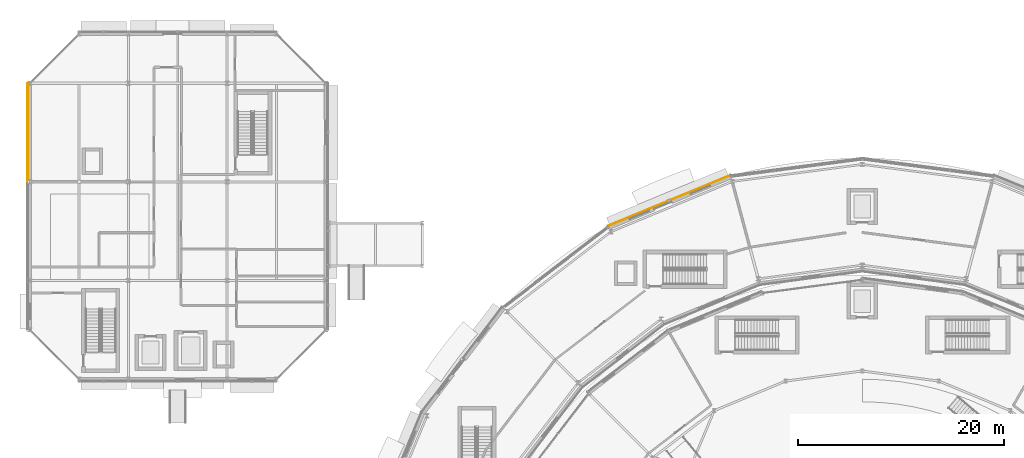
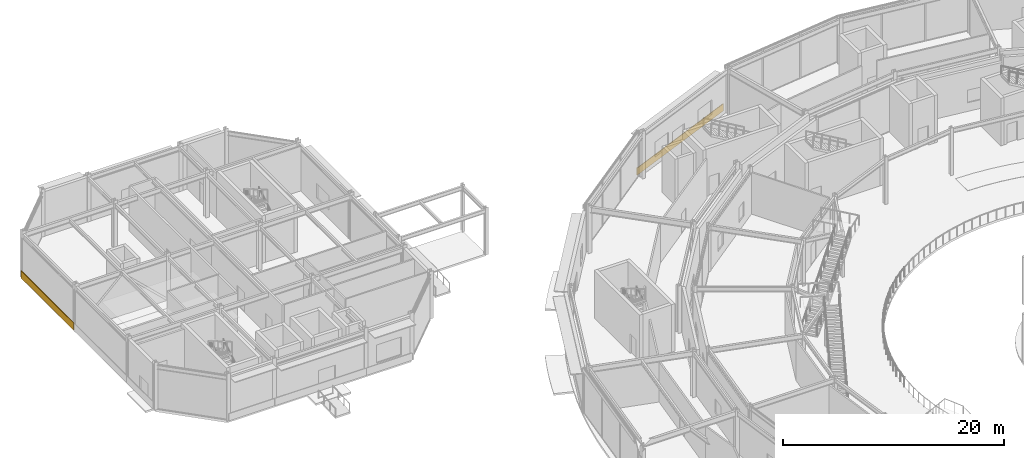
# One storey, part 156 of 168: 2 coverings.
"""IFC4 building model written with IfcOpenShell, lengths in metres."""

from ifc_helpers import new_model, si_unit, direction, frame, origin, origin_2d, place, context, subcontext, project, spatial, rectangle, extrude, material, layer, layer_set, type_object, element, save


model = new_model("IFC4")

# Units and contexts
model_context = context("Model", 3, precision=1e-05, world=origin(), true_north=direction((0.0, 1.0)))
body_context = subcontext(model_context, "Body", "Model", "MODEL_VIEW")
ifc_project = project(units=[si_unit("LENGTHUNIT", "METRE"), si_unit("AREAUNIT", "SQUARE_METRE"), si_unit("VOLUMEUNIT", "CUBIC_METRE"), si_unit("PLANEANGLEUNIT", "RADIAN"), si_unit("MASSUNIT", "GRAM", prefix="KILO")], contexts=[model_context])

# Site, building, storey
site_placement = place(None, origin())
site = spatial("IfcSite", under=ifc_project, at=site_placement, CompositionType="ELEMENT")
building_placement = place(site_placement, origin())
building = spatial("IfcBuilding", under=site, at=building_placement, Name="Almandine Court Research Institute", CompositionType="ELEMENT")
storey_placement = place(building_placement, origin())
storey = spatial("IfcBuildingStorey", under=building, at=storey_placement, Name="L00", CompositionType="ELEMENT", Elevation=0.0)

# Coverings
ifc_material = material(Name="Honed Andean Red-Buff Sandstone Cladding", Category="masonry")
ifc_layer = layer(ifc_material, 0.06494140625)
ifc_layer_set = layer_set([ifc_layer], Name="Honed Andean Red-Buff Sandstone Cladding")
covering_type = type_object("IfcCoveringType", Name="Cov-CLAD-SAND", PredefinedType="CLADDING", material=ifc_layer_set)
covering_1_placement = place(storey_placement, frame((5.806884765625, 108.0, 0.02001953125), z_axis=(0.0, 0.0, 1.0), x_axis=(0.0, 1.0, 0.0)))
element("IfcCovering", 1, at=covering_1_placement, inside=storey, type_object=covering_type, Name="L00 Facade Spandrel Cladding Band 36", PredefinedType="CLADDING", context=body_context, shape_type="SweptSolid", body=[
    extrude(rectangle(XDim=9.592041015625, YDim=0.06494140625, at=origin_2d()), origin(), (0.0, 0.0, 1.0), 0.800048828125),
])
covering_2_placement = place(storey_placement, frame((68.202880859375, 101.3798828125, 0.02001953125), z_axis=(0.0, 0.0, 1.0), x_axis=(0.923879532511, 0.382683432365, 0.0)))
element("IfcCovering", 2, at=covering_2_placement, inside=storey, type_object=covering_type, Name="L00 Facade Spandrel Cladding Band 274", PredefinedType="CLADDING", context=body_context, shape_type="SweptSolid", body=[
    extrude(rectangle(XDim=12.868896484375, YDim=0.06494140625, at=origin_2d()), origin(), (0.0, 0.0, 1.0), 0.800048828125),
])

save(model, "model.ifc")
